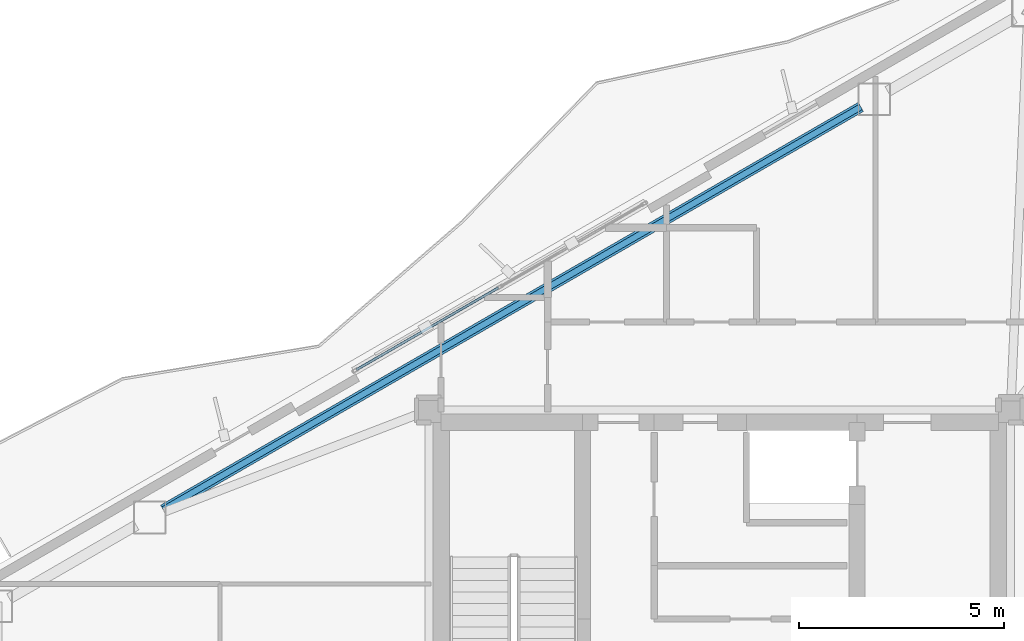
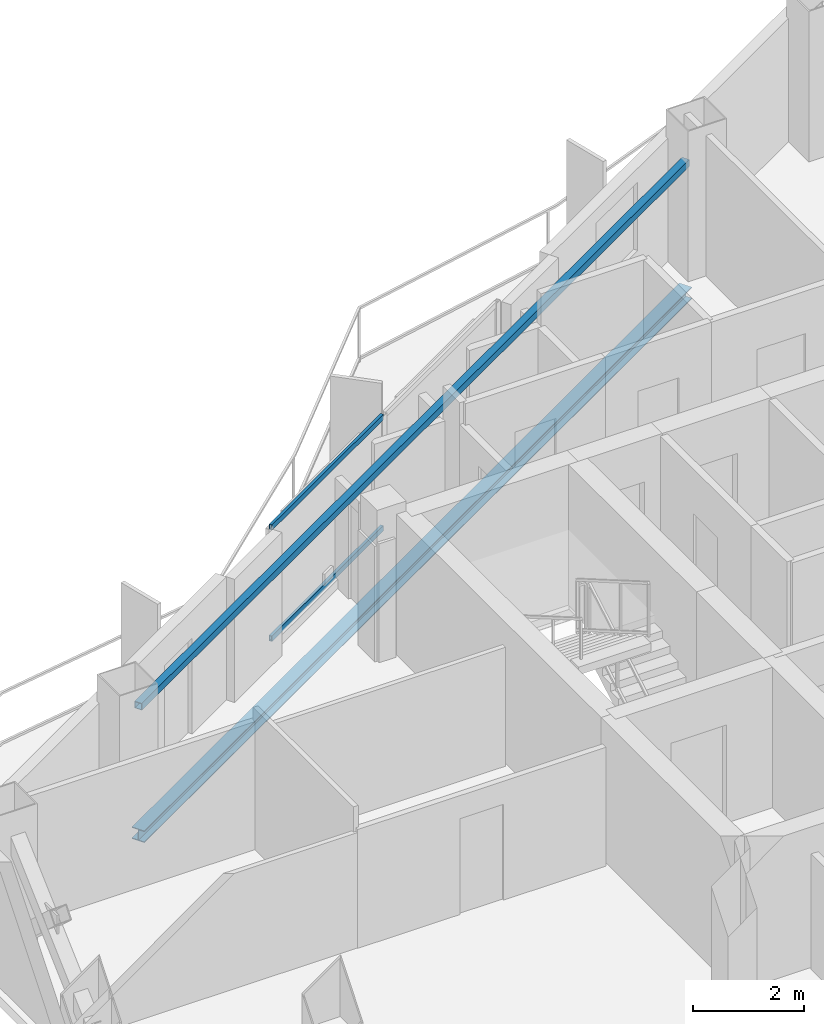
# One storey, part 9 of 18: 2 beams, 2 members, 1 element without a shape of its own.
"""IFC4 building model written with IfcOpenShell, lengths in metres."""

from ifc_helpers import new_model, si_unit, direction, frame, origin, origin_2d, place, context, subcontext, project, spatial, hollow_rectangle, i_section, extrude, material, layer, layer_set, material_profile, profile_set, type_object, element, aggregate, save


model = new_model("IFC4")

# Units and contexts
model_context = context("Model", 3, precision=1e-05, world=origin(), true_north=direction((0.0, 1.0)))
body_context = subcontext(model_context, "Body", "Model", "MODEL_VIEW")
ifc_project = project(units=[si_unit("LENGTHUNIT", "METRE"), si_unit("AREAUNIT", "SQUARE_METRE"), si_unit("VOLUMEUNIT", "CUBIC_METRE"), si_unit("PLANEANGLEUNIT", "RADIAN"), si_unit("MASSUNIT", "GRAM", prefix="KILO")], contexts=[model_context])

# Site, building, storey
site_placement = place(None, origin())
site = spatial("IfcSite", under=ifc_project, at=site_placement, CompositionType="ELEMENT")
building_placement = place(site_placement, origin())
building = spatial("IfcBuilding", under=site, at=building_placement, Name="Mersakhor Tower and Convention Hall", CompositionType="ELEMENT")
storey_placement = place(building_placement, frame((0.0, 0.0, 233.10009765625)))
storey = spatial("IfcBuildingStorey", under=building, at=storey_placement, Name="L65", CompositionType="ELEMENT", Elevation=233.10009765625)

# Beams
ifc_material_1 = material(Name="Steel S355", Category="steel")
ifc_material_profile_1 = material_profile(ifc_material_1, hollow_rectangle(XDim=0.14990234375, YDim=0.14990234375, WallThickness=0.010009765625, at=origin_2d()), Name="SHS 150x150x10")
ifc_profile_set_1 = profile_set([ifc_material_profile_1], Name="Steel S355")
beam_type_1 = type_object("IfcBeamType", Name="BM-GRT-SHS150", PredefinedType="USERDEFINED", material=ifc_profile_set_1)
beam_1_placement = place(storey_placement, frame((15.414794921875, 30.618408203125, 2.47998046875), z_axis=(0.866021610626, 0.500006569886, 0.0), x_axis=(-0.500006569886, 0.866021610626, 0.0)))
element("IfcBeam", 1, at=beam_1_placement, inside=storey, type_object=beam_type_1, Name="L65 Facade Support Girt GRT-F1", ObjectType="GIRT", PredefinedType="USERDEFINED", context=body_context, shape_type="SweptSolid", body=[
    extrude(hollow_rectangle(XDim=0.14990234375, YDim=0.14990234375, WallThickness=0.010009765625, at=origin_2d()), origin(), (0.0, 0.0, 1.0), 19.661865234375),
])
ifc_material_2 = material(Name="Steel S355", Category="steel")
ifc_material_profile_2 = material_profile(ifc_material_2, i_section(OverallWidth=0.25634765625, OverallDepth=0.26025390625, WebThickness=0.01025390625, FlangeThickness=0.017333984375, at=origin_2d()), Name="UC 254x254x89")
ifc_profile_set_2 = profile_set([ifc_material_profile_2], Name="Steel S355")
beam_type_2 = type_object("IfcBeamType", Name="BM-SPD-UC254", PredefinedType="SPANDREL", material=ifc_profile_set_2)
beam_2_placement = place(storey_placement, frame((15.414794921875, 30.618408203125, -0.35009765625), z_axis=(0.866021610626, 0.500006569886, 0.0), x_axis=(-0.500006569886, 0.866021610626, 0.0)))
element("IfcBeam", 2, at=beam_2_placement, inside=storey, type_object=beam_type_2, Name="L65 Perimeter Spandrel Beam SPB-02", PredefinedType="SPANDREL", context=body_context, shape_type="SweptSolid", body=[
    extrude(i_section(OverallWidth=0.25634765625, OverallDepth=0.26025390625, WebThickness=0.01025390625, FlangeThickness=0.017333984375, at=origin_2d()), origin(), (0.0, 0.0, 1.0), 19.661865234375),
])

# Curtain wall, members
ifc_material_3 = material(Name="Dark solar low-E aluminium curtain wall", Category="aluminium")
ifc_layer = layer(ifc_material_3, 0.179931640625)
ifc_layer_set = layer_set([ifc_layer], Name="Dark solar low-E aluminium curtain wall")
curtain_wall_type = type_object("IfcCurtainWallType", Name="CW-SYS-03", PredefinedType="USERDEFINED", material=ifc_layer_set)
curtain_wall_placement = place(storey_placement, origin())
curtain_wall = element("IfcCurtainWall", 3, at=curtain_wall_placement, inside=storey, type_object=curtain_wall_type, Name="L65 Dark-Glass Curtain Wall F1-B2", ObjectType="CURTAIN WALL", PredefinedType="USERDEFINED")
ifc_material_4 = material(Name="Anodised aluminium EN AW-6063 T6", Category="aluminium")
ifc_material_profile_3 = material_profile(ifc_material_4, hollow_rectangle(XDim=0.06005859375, YDim=0.1201171875, WallThickness=0.0048828125, at=origin_2d()), Name="RHS 120x60x5")
ifc_profile_set_3 = profile_set([ifc_material_profile_3], Name="Anodised aluminium EN AW-6063 T6")
member_type = type_object("IfcMemberType", Name="CWT-120x60", PredefinedType="USERDEFINED", material=ifc_profile_set_3)
member_1_placement = place(storey_placement, frame((20.130859375, 34.0341796875, 0.22998046875), z_axis=(0.866023018642, 0.500004131166, 0.0), x_axis=(-0.500004131166, 0.866023018642, 0.0)))
member_1 = element("IfcMember", 4, at=member_1_placement, type_object=member_type, Name="CW-03 transom 1.1", ObjectType="TRANSOM", PredefinedType="USERDEFINED", context=body_context, shape_type="SweptSolid", body=[
    extrude(hollow_rectangle(XDim=0.06005859375, YDim=0.1201171875, WallThickness=0.0048828125, at=origin_2d()), origin(), (0.0, 0.0, 1.0), 4.00146484375),
])
member_2_placement = place(storey_placement, frame((20.130859375, 34.0341796875, 2.669921875), z_axis=(0.866023018642, 0.500004131166, 0.0), x_axis=(-0.500004131166, 0.866023018642, 0.0)))
member_2 = element("IfcMember", 5, at=member_2_placement, type_object=member_type, Name="CW-03 transom 1.2", ObjectType="TRANSOM", PredefinedType="USERDEFINED", context=body_context, shape_type="SweptSolid", body=[
    extrude(hollow_rectangle(XDim=0.06005859375, YDim=0.1201171875, WallThickness=0.0048828125, at=origin_2d()), origin(), (0.0, 0.0, 1.0), 4.00146484375),
])
aggregate(curtain_wall, [member_1, member_2])

save(model, "model.ifc")
